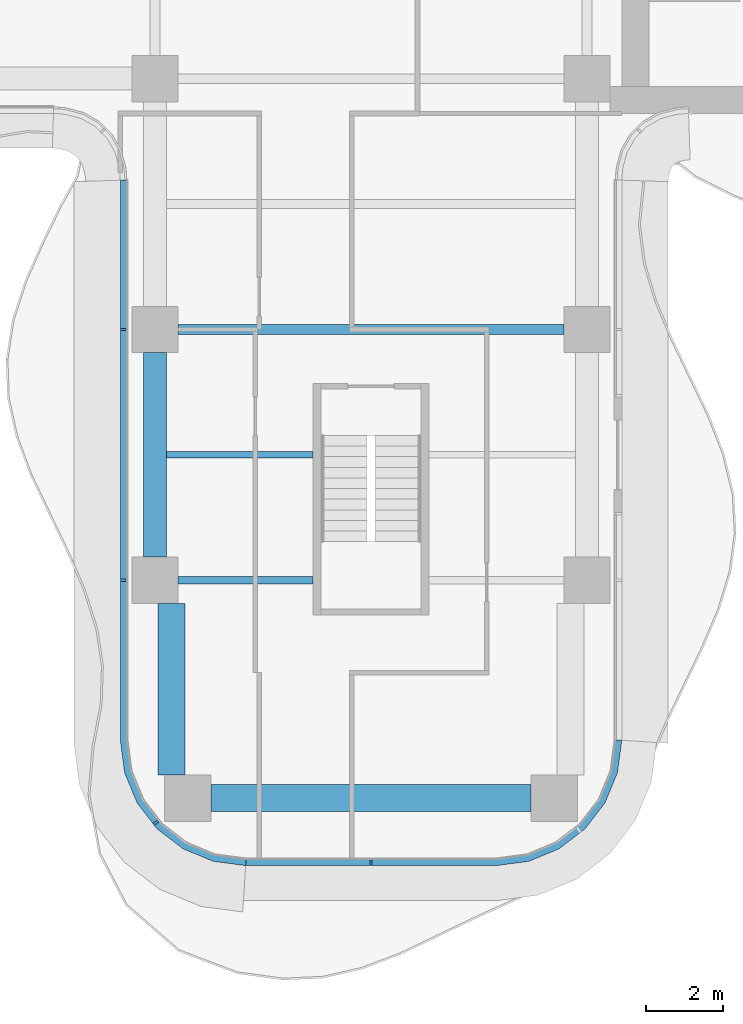
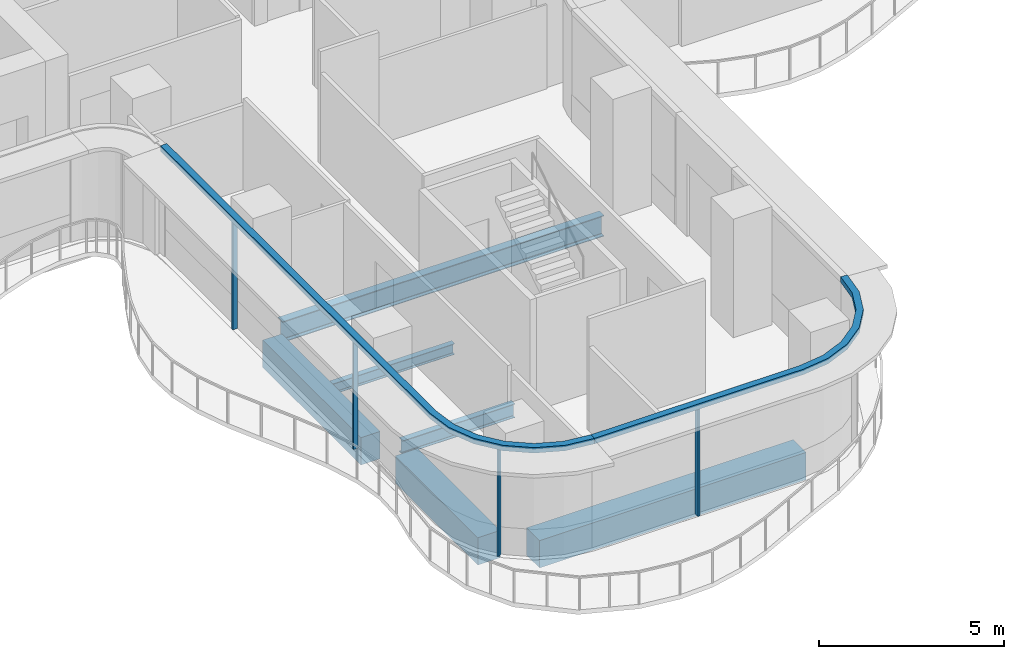
# One storey, part 2 of 17: 6 beams, 6 members, 2 elements without a shape of their own.
"""IFC4 building model written with IfcOpenShell, lengths in metres."""

from ifc_helpers import new_model, si_unit, direction, frame, origin, origin_2d, place, context, subcontext, project, spatial, polyline, rectangle, i_section, outline, extrude, source, transform, mapped, material, layer, layer_set, material_profile, profile_set, type_object, element, aggregate, save


model = new_model("IFC4")

# Units and contexts
model_context = context("Model", 3, precision=1e-05, world=origin(), true_north=direction((0.0, 1.0)))
body_context = subcontext(model_context, "Body", "Model", "MODEL_VIEW")
ifc_project = project(units=[si_unit("LENGTHUNIT", "METRE"), si_unit("AREAUNIT", "SQUARE_METRE"), si_unit("VOLUMEUNIT", "CUBIC_METRE"), si_unit("PLANEANGLEUNIT", "RADIAN"), si_unit("MASSUNIT", "GRAM", prefix="KILO")], contexts=[model_context])

# Site, building, storey
site_placement = place(None, origin())
site = spatial("IfcSite", under=ifc_project, at=site_placement, CompositionType="ELEMENT")
building_placement = place(site_placement, origin())
building = spatial("IfcBuilding", under=site, at=building_placement, Name="Trellis Farm Tower", CompositionType="ELEMENT")
storey_placement = place(building_placement, frame((0.0, 0.0, 165.89990234375)))
storey = spatial("IfcBuildingStorey", under=building, at=storey_placement, Name="L35", CompositionType="ELEMENT", Elevation=165.89990234375)

# Beams
ifc_material_1 = material(Name="Steel S355", Category="steel")
ifc_material_profile_1 = material_profile(ifc_material_1, i_section(OverallWidth=0.1904296875, OverallDepth=0.45703125, WebThickness=0.009033203125, FlangeThickness=0.014404296875, FilletRadius=0.01025390625, at=origin_2d()), Name="UB 457x191x74")
ifc_profile_set_1 = profile_set([ifc_material_profile_1], Name="Steel S355")
beam_type_1 = type_object("IfcBeamType", Name="UB 457x191x74", PredefinedType="BEAM", material=ifc_profile_set_1)
shared_shape_1 = source(origin(), body_context, "Body", "SweptSolid", [
    extrude(i_section(OverallWidth=0.1904296875, OverallDepth=0.45703125, WebThickness=0.009033203125, FlangeThickness=0.014404296875, FilletRadius=0.01025390625, at=origin_2d()), origin(), (0.0, 0.0, 1.0), 3.5),
])
beam_1_placement = place(storey_placement, frame((-5.0, -18.60009765625, -0.428466796875), z_axis=(1.0, 0.0, 0.0), x_axis=(0.0, 1.0, 0.0)))
element("IfcBeam", 1, at=beam_1_placement, inside=storey, type_object=beam_type_1, Name="Girder", PredefinedType="BEAM", context=body_context, shape_type="MappedRepresentation", body=[
    mapped(shared_shape_1, transform((0.0, 0.0, 0.0))),
])
ifc_material_2 = material(Name="Concrete C60/75", Category="concrete")
ifc_material_profile_2 = material_profile(ifc_material_2, rectangle(XDim=0.60009765625, YDim=0.89990234375, at=origin_2d()), Name="RC spandrel beam 600x900 C60/75")
ifc_profile_set_2 = profile_set([ifc_material_profile_2], Name="Concrete C60/75")
beam_type_2 = type_object("IfcBeamType", Name="RC spandrel beam 600x900 C60/75", PredefinedType="SPANDREL", material=ifc_profile_set_2)
shared_shape_2 = source(origin(), body_context, "Body", "SweptSolid", [
    extrude(rectangle(XDim=0.60009765625, YDim=0.89990234375, at=origin_2d()), origin(), (0.0, 0.0, 1.0), 5.300048828125),
])
beam_2_placement = place(storey_placement, frame((-5.60009765625, -18.0, -0.64990234375), z_axis=(0.0, 1.0, 0.0), x_axis=(-1.0, 0.0, 0.0)))
element("IfcBeam", 2, at=beam_2_placement, inside=storey, type_object=beam_type_2, Name="Girder", PredefinedType="SPANDREL", context=body_context, shape_type="MappedRepresentation", body=[
    mapped(shared_shape_2, transform((0.0, 0.0, 0.0))),
])
ifc_material_profile_3 = material_profile(ifc_material_1, i_section(OverallWidth=0.253662109375, OverallDepth=0.68359375, WebThickness=0.012451171875, FlangeThickness=0.021728515625, FilletRadius=0.01513671875, at=origin_2d()), Name="UB 686x254x140")
ifc_profile_set_3 = profile_set([ifc_material_profile_3], Name="Steel S355")
beam_type_3 = type_object("IfcBeamType", Name="UB 686x254x140", PredefinedType="BEAM", material=ifc_profile_set_3)
shared_shape_3 = source(origin(), body_context, "Body", "SweptSolid", [
    extrude(i_section(OverallWidth=0.253662109375, OverallDepth=0.68359375, WebThickness=0.012451171875, FlangeThickness=0.021728515625, FilletRadius=0.01513671875, at=origin_2d()), origin(), (0.0, 0.0, 1.0), 10.0),
])
beam_3_placement = place(storey_placement, frame((-5.0, -12.10009765625, -0.54150390625), z_axis=(1.0, 0.0, 0.0), x_axis=(0.0, 1.0, 0.0)))
element("IfcBeam", 3, at=beam_3_placement, inside=storey, type_object=beam_type_3, Name="Girder", PredefinedType="BEAM", context=body_context, shape_type="MappedRepresentation", body=[
    mapped(shared_shape_3, transform((0.0, 0.0, 0.0))),
])
ifc_material_profile_4 = material_profile(ifc_material_2, rectangle(XDim=0.699951171875, YDim=0.89990234375, at=origin_2d()), Name="RC spandrel beam 700x900 C60/75")
ifc_profile_set_4 = profile_set([ifc_material_profile_4], Name="Concrete C60/75")
beam_type_4 = type_object("IfcBeamType", Name="RC spandrel beam 700x900 C60/75", PredefinedType="SPANDREL", material=ifc_profile_set_4)
shared_shape_4 = source(origin(), body_context, "Body", "SweptSolid", [
    extrude(rectangle(XDim=0.699951171875, YDim=0.89990234375, at=origin_2d()), origin(), (0.0, 0.0, 1.0), 8.2998046875),
])
beam_4_placement = place(storey_placement, frame((-4.14990234375, -24.25, -0.64990234375), z_axis=(1.0, 0.0, 0.0), x_axis=(0.0, 1.0, 0.0)))
element("IfcBeam", 4, at=beam_4_placement, inside=storey, type_object=beam_type_4, Name="Girder", PredefinedType="SPANDREL", context=body_context, shape_type="MappedRepresentation", body=[
    mapped(shared_shape_4, transform((0.0, 0.0, 0.0))),
])
shared_shape_5 = source(origin(), body_context, "Body", "SweptSolid", [
    extrude(rectangle(XDim=0.699951171875, YDim=0.89990234375, at=origin_2d()), origin(), (0.0, 0.0, 1.0), 4.449951171875),
])
beam_5_placement = place(storey_placement, frame((-5.175048828125, -23.64990234375, -0.64990234375), z_axis=(0.0, 1.0, 0.0), x_axis=(-1.0, 0.0, 0.0)))
element("IfcBeam", 5, at=beam_5_placement, inside=storey, type_object=beam_type_4, Name="Girder", PredefinedType="SPANDREL", context=body_context, shape_type="MappedRepresentation", body=[
    mapped(shared_shape_5, transform((0.0, 0.0, 0.0))),
])
ifc_material_profile_5 = material_profile(ifc_material_1, i_section(OverallWidth=0.17138671875, OverallDepth=0.35498046875, WebThickness=0.00732421875, FlangeThickness=0.011474609375, FilletRadius=0.01025390625, at=origin_2d()), Name="UB 356x171x51")
ifc_profile_set_5 = profile_set([ifc_material_profile_5], Name="Steel S355")
beam_type_5 = type_object("IfcBeamType", Name="UB 356x171x51 joist", PredefinedType="JOIST", material=ifc_profile_set_5)
shared_shape_6 = source(origin(), body_context, "Body", "SweptSolid", [
    extrude(i_section(OverallWidth=0.17138671875, OverallDepth=0.35498046875, WebThickness=0.00732421875, FlangeThickness=0.011474609375, FilletRadius=0.01025390625, at=origin_2d()), origin(), (0.0, 0.0, 1.0), 3.800048828125),
])
beam_6_placement = place(storey_placement, frame((-5.300048828125, -15.35009765625, -0.37744140625), z_axis=(1.0, 0.0, 0.0), x_axis=(0.0, 1.0, 0.0)))
element("IfcBeam", 6, at=beam_6_placement, inside=storey, type_object=beam_type_5, Name="Floor beam", PredefinedType="JOIST", context=body_context, shape_type="MappedRepresentation", body=[
    mapped(shared_shape_6, transform((0.0, 0.0, 0.0))),
])

# Curtain wall, members
ifc_material_3 = material(Name="Aluminium and glass curtain wall", Category="aluminium")
ifc_layer_1 = layer(ifc_material_3, 0.18994140625)
ifc_layer_set_1 = layer_set([ifc_layer_1], Name="RIBBON CURTAIN WALL CW1")
curtain_wall_type = type_object("IfcCurtainWallType", Name="RIBBON CURTAIN WALL CW1", PredefinedType="NOTDEFINED", material=ifc_layer_set_1)
placement_1 = place(storey_placement, origin())
curtain_wall_1 = element("IfcCurtainWall", 7, at=placement_1, inside=storey, type_object=curtain_wall_type, Name="CW1 002", PredefinedType="NOTDEFINED")
ifc_material_4 = material(Name="Aluminium extrusion 6063-T6", Category="aluminium")
ifc_material_profile_6 = material_profile(ifc_material_4, rectangle(XDim=0.06005859375, YDim=0.14990234375, at=origin_2d()), Name="MULLION 60x150")
ifc_profile_set_6 = profile_set([ifc_material_profile_6], Name="Aluminium extrusion 6063-T6")
member_type_1 = type_object("IfcMemberType", Name="CW1 MULLION 60x150", PredefinedType="MULLION", material=ifc_profile_set_6)
shared_shape_7 = source(origin(), body_context, "Body", "SweptSolid", [
    extrude(rectangle(XDim=0.06005859375, YDim=0.14990234375, at=origin_2d()), origin(), (0.0, 0.0, 1.0), 3.52001953125),
])
member_1_placement = place(storey_placement, frame((-6.425048828125, -12.10009765625, 0.0), z_axis=(0.0, 0.0, 1.0), x_axis=(0.0, -1.0, 0.0)))
member_1 = element("IfcMember", 8, at=member_1_placement, type_object=member_type_1, Name="MU1 002-01", PredefinedType="MULLION", context=body_context, shape_type="MappedRepresentation", body=[
    mapped(shared_shape_7, transform((0.0, 0.0, 0.0))),
])
member_2_placement = place(storey_placement, frame((-6.425048828125, -18.60009765625, 0.0), z_axis=(0.0, 0.0, 1.0), x_axis=(0.0, -1.0, 0.0)))
member_2 = element("IfcMember", 9, at=member_2_placement, type_object=member_type_1, Name="MU1 002-02", PredefinedType="MULLION", context=body_context, shape_type="MappedRepresentation", body=[
    mapped(shared_shape_7, transform((0.0, 0.0, 0.0))),
])
member_3_placement = place(storey_placement, frame((-5.578369140625, -24.885498046875, 0.0), z_axis=(0.0, 0.0, 1.0), x_axis=(0.608761429009, -0.793353340291, 0.0)))
member_3 = element("IfcMember", 10, at=member_3_placement, type_object=member_type_1, Name="MU1 002-03", PredefinedType="MULLION", context=body_context, shape_type="MappedRepresentation", body=[
    mapped(shared_shape_7, transform((0.0, 0.0, 0.0))),
])

# Curtain wall, member
curtain_wall_2 = element("IfcCurtainWall", 11, at=placement_1, inside=storey, type_object=curtain_wall_type, Name="CW1 003", PredefinedType="NOTDEFINED")
member_4_placement = place(storey_placement, frame((0.0, -25.925048828125, 0.0), z_axis=(0.0, 0.0, 1.0), x_axis=(1.0, 0.0, 0.0)))
member_4 = element("IfcMember", 12, at=member_4_placement, type_object=member_type_1, Name="MU1 003-01", PredefinedType="MULLION", context=body_context, shape_type="MappedRepresentation", body=[
    mapped(shared_shape_7, transform((0.0, 0.0, 0.0))),
])

# Member
ifc_layer_2 = layer(ifc_material_4, 0.199951171875)
ifc_layer_set_2 = layer_set([ifc_layer_2], Name="Aluminium extrusion 6063-T6")
member_type_2 = type_object("IfcMemberType", Name="CW1 TRANSOM 200x180", PredefinedType="USERDEFINED", material=ifc_layer_set_2)
shared_shape_8 = source(origin(), body_context, "Body", "SweptSolid", [
    extrude(outline(polyline([(-6.5, -8.2314453125), (-6.5, -22.75), (-6.38916015625, -23.591064453125), (-6.064697265625, -24.375), (-5.548095703125, -25.048095703125), (-4.875, -25.564697265625), (-4.091064453125, -25.88916015625), (-3.25, -26.0), (-3.23681640625, -25.800048828125), (-4.0390625, -25.6943359375), (-4.774169921875, -25.389892578125), (-5.405517578125, -24.905517578125), (-5.889892578125, -24.274169921875), (-6.1943359375, -23.5390625), (-6.300048828125, -22.73681640625), (-6.300048828125, -8.224853515625), (-6.5, -8.2314453125)])), origin(), (0.0, 0.0, 1.0), 0.18017578125),
])
placement_2 = place(storey_placement, frame((0.0, 0.0, 3.52001953125)))
member_5 = element("IfcMember", 13, at=placement_2, type_object=member_type_2, Name="TR1 002", ObjectType="TRANSOM", PredefinedType="USERDEFINED", context=body_context, shape_type="MappedRepresentation", body=[
    mapped(shared_shape_8, transform((0.0, 0.0, 0.0))),
])

aggregate(curtain_wall_1, [member_1, member_2, member_3, member_5])

shared_shape_9 = source(origin(), body_context, "Body", "SweptSolid", [
    extrude(outline(polyline([(-3.25, -26.0), (3.25, -26.0), (4.091064453125, -25.88916015625), (4.875, -25.564697265625), (5.548095703125, -25.048095703125), (6.064697265625, -24.375), (6.38916015625, -23.591064453125), (6.5, -22.75), (6.300048828125, -22.73681640625), (6.1943359375, -23.5390625), (5.889892578125, -24.274169921875), (5.405517578125, -24.905517578125), (4.774169921875, -25.389892578125), (4.0390625, -25.6943359375), (3.23681640625, -25.800048828125), (-3.23681640625, -25.800048828125), (-3.25, -26.0)])), origin(), (0.0, 0.0, 1.0), 0.18017578125),
])
member_6 = element("IfcMember", 14, at=placement_2, type_object=member_type_2, Name="TR1 003", ObjectType="TRANSOM", PredefinedType="USERDEFINED", context=body_context, shape_type="MappedRepresentation", body=[
    mapped(shared_shape_9, transform((0.0, 0.0, 0.0))),
])

aggregate(curtain_wall_2, [member_4, member_6])

save(model, "model.ifc")
